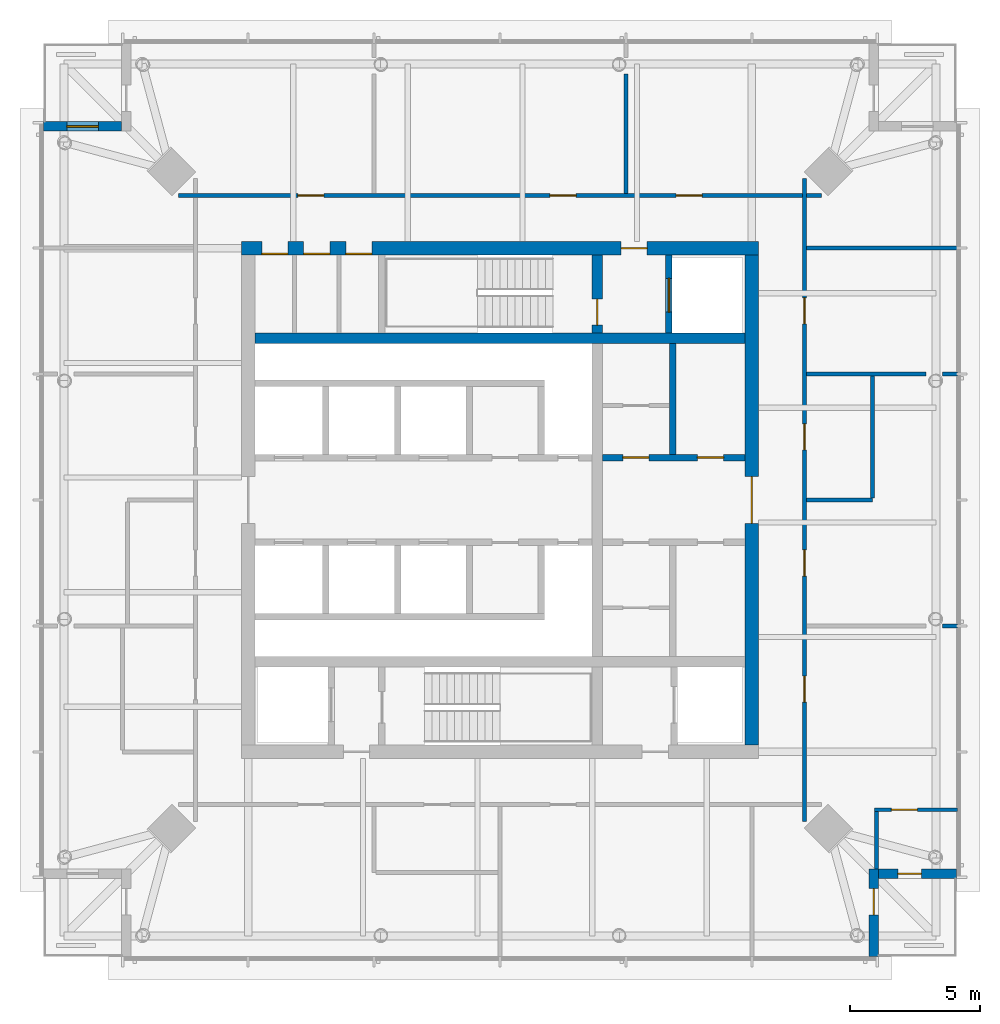
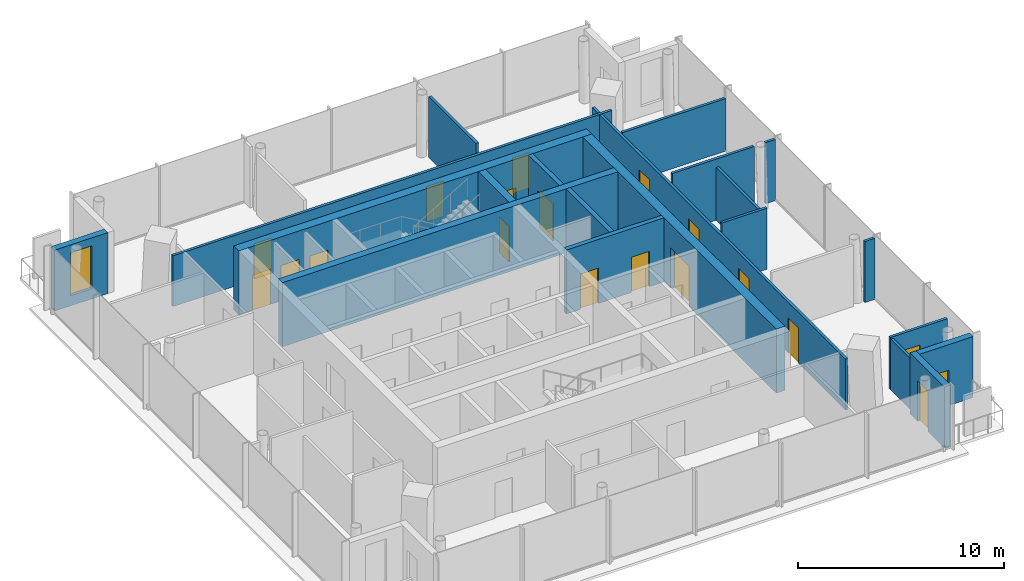
# One storey, part 5 of 11: 21 walls, 19 doors, 1 window, 20 openings.
"""IFC4 building model written with IfcOpenShell, lengths in metres."""

from ifc_helpers import new_model, si_unit, direction, frame, frame_2d, origin, place, context, subcontext, project, spatial, rectangle, extrude, material, layer, layer_set, type_object, element, fill, save


model = new_model("IFC4")

# Units and contexts
model_context = context("Model", 3, precision=1e-05, world=origin(), true_north=direction((0.0, 1.0)))
body_context = subcontext(model_context, "Body", "Model", "MODEL_VIEW")
ifc_project = project(units=[si_unit("LENGTHUNIT", "METRE"), si_unit("AREAUNIT", "SQUARE_METRE"), si_unit("VOLUMEUNIT", "CUBIC_METRE"), si_unit("PLANEANGLEUNIT", "RADIAN"), si_unit("MASSUNIT", "GRAM", prefix="KILO")], contexts=[model_context])

# Site, building, storey
site_placement = place(None, origin())
site = spatial("IfcSite", under=ifc_project, at=site_placement, CompositionType="ELEMENT")
building_placement = place(site_placement, origin())
building = spatial("IfcBuilding", under=site, at=building_placement, Name="Ostroluk Exchange", CompositionType="ELEMENT")
storey_placement = place(building_placement, frame((0.0, 0.0, 249.0)))
storey = spatial("IfcBuildingStorey", under=building, at=storey_placement, Name="L64", CompositionType="ELEMENT", Elevation=249.0)

# Wall
ifc_material_1 = material(Name="Concrete C50/60", Category="concrete")
ifc_layer_1 = layer(ifc_material_1, 0.39990234375)
ifc_layer_set_1 = layer_set([ifc_layer_1], Name="Core cross wall 400 C50/60")
wall_type_1 = type_object("IfcWallType", Name="Core cross wall 400 C50/60", PredefinedType="SHEAR", material=ifc_layer_set_1)
wall_1_placement = place(storey_placement, frame((35.60009765625, 52.199951171875, 0.0), z_axis=(0.0, 0.0, 1.0), x_axis=(1.0, 0.0, 0.0)))
element("IfcWall", 1, at=wall_1_placement, inside=storey, type_object=wall_type_1, Name="T1 core wall XN", PredefinedType="SHEAR", context=body_context, shape_type="SweptSolid", body=[
    extrude(rectangle(XDim=18.7998046875, YDim=0.39990234375, at=frame_2d((9.39990234375, 0.0))), origin(), (0.0, 0.0, 1.0), 3.800048828125),
])

# Wall, opening, door
wall_2_placement = place(storey_placement, frame((48.72998046875, 52.39990234375, 0.0), z_axis=(0.0, 0.0, 1.0), x_axis=(0.0, 1.0, 0.0)))
wall_2 = element("IfcWall", 2, at=wall_2_placement, inside=storey, type_object=wall_type_1, Name="T1 core wall YE3", PredefinedType="SHEAR", context=body_context, shape_type="SweptSolid", body=[
    extrude(rectangle(XDim=3.0, YDim=0.39990234375, at=frame_2d((1.5, 0.0))), origin(), (0.0, 0.0, 1.0), 3.800048828125),
])
opening_1_placement = place(wall_2_placement, frame((0.300048828125, 0.0, 0.0)))
opening_1 = element("IfcOpeningElement", 3, at=opening_1_placement, cuts=wall_2, Name="Opening FD60", PredefinedType="OPENING", context=body_context, shape_type="SweptSolid", body=[
    extrude(rectangle(XDim=1.0, YDim=2.10009765625, at=frame_2d((0.5, 1.050048828125))), frame((0.0, 0.2099609375, 0.0), z_axis=(0.0, -1.0, 0.0), x_axis=(1.0, 0.0, 0.0)), (0.0, 0.0, 1.0), 0.419921875),
])
ifc_material_2 = material(Name="Steel", Category="steel")
door_type_1 = type_object("IfcDoorType", Name="Fire door EI 60 1000 x 2100", OperationType="SINGLE_SWING_LEFT", PredefinedType="DOOR", material=ifc_material_2)
door_1_placement = place(opening_1_placement, origin())
door_1 = element("IfcDoor", 4, at=door_1_placement, inside=storey, type_object=door_type_1, Name="Stair T1-S2 door", OperationType="SINGLE_SWING_LEFT", OverallHeight=2.10009765625, OverallWidth=1.0, PredefinedType="DOOR", context=body_context, shape_type="SweptSolid", body=[
    extrude(rectangle(XDim=1.0, YDim=2.10009765625, at=frame_2d((0.5, 1.050048828125))), frame((0.0, 0.02490234375, 0.0), z_axis=(0.0, -1.0, 0.0), x_axis=(1.0, 0.0, 0.0)), (0.0, 0.0, 1.0), 0.050048828125),
])
fill(opening_1, door_1)

ifc_material_3 = material(Name="Concrete C40/50", Category="concrete")
ifc_layer_2 = layer(ifc_material_3, 0.25)
ifc_layer_set_2 = layer_set([ifc_layer_2], Name="Core shaft wall 250")
wall_type_2 = type_object("IfcWallType", Name="Core shaft wall 250", PredefinedType="SHEAR", material=ifc_layer_set_2)
wall_3_placement = place(storey_placement, frame((51.47509765625, 52.39990234375, 0.0), z_axis=(0.0, 0.0, 1.0), x_axis=(0.0, 1.0, 0.0)))
wall_3 = element("IfcWall", 5, at=wall_3_placement, inside=storey, type_object=wall_type_2, Name="Firefighting lift shaft wall", PredefinedType="SHEAR", context=body_context, shape_type="SweptSolid", body=[
    extrude(rectangle(XDim=3.0, YDim=0.25, at=frame_2d((1.5, 0.0))), origin(), (0.0, 0.0, 1.0), 3.800048828125),
])
opening_2_placement = place(wall_3_placement, frame((0.800048828125, 0.0, 0.0)))
opening_2 = element("IfcOpeningElement", 6, at=opening_2_placement, cuts=wall_3, Name="Opening LD2", PredefinedType="OPENING", context=body_context, shape_type="SweptSolid", body=[
    extrude(rectangle(XDim=1.300048828125, YDim=2.199951171875, at=frame_2d((0.64990234375, 1.10009765625))), frame((0.0, 0.135009765625, 0.0), z_axis=(0.0, -1.0, 0.0), x_axis=(1.0, 0.0, 0.0)), (0.0, 0.0, 1.0), 0.27001953125),
])
ifc_material_4 = material(Name="Stainless steel", Category="steel")
door_type_2 = type_object("IfcDoorType", Name="Lift landing door E 60 1300 x 2200", OperationType="DOUBLE_DOOR_SLIDING", PredefinedType="DOOR", material=ifc_material_4)
door_2_placement = place(opening_2_placement, origin())
door_2 = element("IfcDoor", 7, at=door_2_placement, inside=storey, type_object=door_type_2, Name="Lift FL2 landing door", OperationType="DOUBLE_DOOR_SLIDING", OverallHeight=2.199951171875, OverallWidth=1.300048828125, PredefinedType="DOOR", context=body_context, shape_type="SweptSolid", body=[
    extrude(rectangle(XDim=1.300048828125, YDim=2.199951171875, at=frame_2d((0.64990234375, 1.10009765625))), frame((0.0, 0.02490234375, 0.0), z_axis=(0.0, -1.0, 0.0), x_axis=(1.0, 0.0, 0.0)), (0.0, 0.0, 1.0), 0.050048828125),
])
fill(opening_2, door_2)

# Wall
wall_4_placement = place(storey_placement, frame((51.614990234375, 47.75, 0.0), z_axis=(0.0, 0.0, 1.0), x_axis=(0.0, 1.0, 0.0)))
element("IfcWall", 8, at=wall_4_placement, inside=storey, type_object=wall_type_2, Name="Lift shaft wall", PredefinedType="SHEAR", context=body_context, shape_type="SweptSolid", body=[
    extrude(rectangle(XDim=4.25, YDim=0.25, at=frame_2d((2.125, 0.0))), origin(), (0.0, 0.0, 1.0), 3.800048828125),
])

# Wall, openings, doors
wall_5_placement = place(storey_placement, frame((48.929931640625, 47.625, 0.0), z_axis=(0.0, 0.0, 1.0), x_axis=(1.0, 0.0, 0.0)))
wall_5 = element("IfcWall", 9, at=wall_5_placement, inside=storey, type_object=wall_type_2, Name="Lift shaft front wall", PredefinedType="SHEAR", context=body_context, shape_type="SweptSolid", body=[
    extrude(rectangle(XDim=5.469970703125, YDim=0.25, at=frame_2d((2.73486328125, 0.0))), origin(), (0.0, 0.0, 1.0), 3.800048828125),
])
opening_3_placement = place(wall_5_placement, frame((0.780029296875, 0.0, 0.0)))
opening_3 = element("IfcOpeningElement", 10, at=opening_3_placement, cuts=wall_5, Name="Opening FD60", PredefinedType="OPENING", context=body_context, shape_type="SweptSolid", body=[
    extrude(rectangle(XDim=1.0, YDim=2.10009765625, at=frame_2d((0.5, 1.050048828125))), frame((0.0, 0.135009765625, 0.0), z_axis=(0.0, -1.0, 0.0), x_axis=(1.0, 0.0, 0.0)), (0.0, 0.0, 1.0), 0.27001953125),
])
opening_4_placement = place(wall_5_placement, frame((3.639892578125, 0.0, 0.0)))
opening_4 = element("IfcOpeningElement", 11, at=opening_4_placement, cuts=wall_5, Name="Opening FD60", PredefinedType="OPENING", context=body_context, shape_type="SweptSolid", body=[
    extrude(rectangle(XDim=1.0, YDim=2.10009765625, at=frame_2d((0.5, 1.050048828125))), frame((0.0, 0.135009765625, 0.0), z_axis=(0.0, -1.0, 0.0), x_axis=(1.0, 0.0, 0.0)), (0.0, 0.0, 1.0), 0.27001953125),
])
door_3_placement = place(opening_3_placement, origin())
door_3 = element("IfcDoor", 12, at=door_3_placement, inside=storey, type_object=door_type_1, Name="Core room door", OperationType="SINGLE_SWING_LEFT", OverallHeight=2.10009765625, OverallWidth=1.0, PredefinedType="DOOR", context=body_context, shape_type="SweptSolid", body=[
    extrude(rectangle(XDim=1.0, YDim=2.10009765625, at=frame_2d((0.5, 1.050048828125))), frame((0.0, 0.02490234375, 0.0), z_axis=(0.0, -1.0, 0.0), x_axis=(1.0, 0.0, 0.0)), (0.0, 0.0, 1.0), 0.050048828125),
])
fill(opening_3, door_3)
door_4_placement = place(opening_4_placement, origin())
door_4 = element("IfcDoor", 13, at=door_4_placement, inside=storey, type_object=door_type_1, Name="Core room door", OperationType="SINGLE_SWING_RIGHT", OverallHeight=2.10009765625, OverallWidth=1.0, PredefinedType="DOOR", context=body_context, shape_type="SweptSolid", body=[
    extrude(rectangle(XDim=1.0, YDim=2.10009765625, at=frame_2d((0.5, 1.050048828125))), frame((0.0, 0.02490234375, 0.0), z_axis=(0.0, -1.0, 0.0), x_axis=(1.0, 0.0, 0.0)), (0.0, 0.0, 1.0), 0.050048828125),
])
fill(opening_4, door_4)

ifc_material_5 = material(Name="Concrete C50/60", Category="concrete")
ifc_layer_3 = layer(ifc_material_5, 0.5)
ifc_layer_set_3 = layer_set([ifc_layer_3], Name="Core wall 500 C50/60")
wall_type_3 = type_object("IfcWallType", Name="Core wall 500 C50/60", PredefinedType="SHEAR", material=ifc_layer_set_3)
wall_6_placement = place(storey_placement, frame((35.10009765625, 55.64990234375, 0.0), z_axis=(0.0, 0.0, 1.0), x_axis=(1.0, 0.0, 0.0)))
wall_6 = element("IfcWall", 14, at=wall_6_placement, inside=storey, type_object=wall_type_3, Name="T1 core wall N", PredefinedType="SHEAR", context=body_context, shape_type="SweptSolid", body=[
    extrude(rectangle(XDim=19.7998046875, YDim=0.5, at=frame_2d((9.89990234375, 0.0))), origin(), (0.0, 0.0, 1.0), 3.800048828125),
])
opening_5_placement = place(wall_6_placement, frame((14.5400390625, 0.0, 0.0)))
opening_5 = element("IfcOpeningElement", 15, at=opening_5_placement, cuts=wall_6, Name="Opening FD60", PredefinedType="OPENING", context=body_context, shape_type="SweptSolid", body=[
    extrude(rectangle(XDim=1.0, YDim=2.10009765625, at=frame_2d((0.5, 1.050048828125))), frame((0.0, 0.260009765625, 0.0), z_axis=(0.0, -1.0, 0.0), x_axis=(1.0, 0.0, 0.0)), (0.0, 0.0, 1.0), 0.52001953125),
])
opening_6_placement = place(wall_6_placement, frame((0.77001953125, 0.0, 0.0)))
opening_6 = element("IfcOpeningElement", 16, at=opening_6_placement, cuts=wall_6, Name="Opening FD60", PredefinedType="OPENING", context=body_context, shape_type="SweptSolid", body=[
    extrude(rectangle(XDim=1.0, YDim=2.10009765625, at=frame_2d((0.5, 1.050048828125))), frame((0.0, 0.260009765625, 0.0), z_axis=(0.0, -1.0, 0.0), x_axis=(1.0, 0.0, 0.0)), (0.0, 0.0, 1.0), 0.52001953125),
])
opening_7_placement = place(wall_6_placement, frame((2.375, 0.0, 0.0)))
opening_7 = element("IfcOpeningElement", 17, at=opening_7_placement, cuts=wall_6, Name="Opening FD60", PredefinedType="OPENING", context=body_context, shape_type="SweptSolid", body=[
    extrude(rectangle(XDim=1.0, YDim=2.10009765625, at=frame_2d((0.5, 1.050048828125))), frame((0.0, 0.260009765625, 0.0), z_axis=(0.0, -1.0, 0.0), x_axis=(1.0, 0.0, 0.0)), (0.0, 0.0, 1.0), 0.52001953125),
])
opening_8_placement = place(wall_6_placement, frame((3.989990234375, 0.0, 0.0)))
opening_8 = element("IfcOpeningElement", 18, at=opening_8_placement, cuts=wall_6, Name="Opening FD60", PredefinedType="OPENING", context=body_context, shape_type="SweptSolid", body=[
    extrude(rectangle(XDim=1.0, YDim=2.10009765625, at=frame_2d((0.5, 1.050048828125))), frame((0.0, 0.260009765625, 0.0), z_axis=(0.0, -1.0, 0.0), x_axis=(1.0, 0.0, 0.0)), (0.0, 0.0, 1.0), 0.52001953125),
])
door_5_placement = place(opening_5_placement, origin())
door_5 = element("IfcDoor", 19, at=door_5_placement, inside=storey, type_object=door_type_1, Name="Firefighting lobby door", OperationType="SINGLE_SWING_RIGHT", OverallHeight=2.10009765625, OverallWidth=1.0, PredefinedType="DOOR", context=body_context, shape_type="SweptSolid", body=[
    extrude(rectangle(XDim=1.0, YDim=2.10009765625, at=frame_2d((0.5, 1.050048828125))), frame((0.0, 0.02490234375, 0.0), z_axis=(0.0, -1.0, 0.0), x_axis=(1.0, 0.0, 0.0)), (0.0, 0.0, 1.0), 0.050048828125),
])
fill(opening_5, door_5)
door_6_placement = place(opening_6_placement, origin())
door_6 = element("IfcDoor", 20, at=door_6_placement, inside=storey, type_object=door_type_1, Name="Store door", OperationType="SINGLE_SWING_LEFT", OverallHeight=2.10009765625, OverallWidth=1.0, PredefinedType="DOOR", context=body_context, shape_type="SweptSolid", body=[
    extrude(rectangle(XDim=1.0, YDim=2.10009765625, at=frame_2d((0.5, 1.050048828125))), frame((0.0, -0.18994140625, 0.0), z_axis=(0.0, -1.0, 0.0), x_axis=(1.0, 0.0, 0.0)), (0.0, 0.0, 1.0), 0.050048828125),
])
fill(opening_6, door_6)
door_7_placement = place(opening_7_placement, origin())
door_7 = element("IfcDoor", 21, at=door_7_placement, inside=storey, type_object=door_type_1, Name="Comms room door", OperationType="SINGLE_SWING_LEFT", OverallHeight=2.10009765625, OverallWidth=1.0, PredefinedType="DOOR", context=body_context, shape_type="SweptSolid", body=[
    extrude(rectangle(XDim=1.0, YDim=2.10009765625, at=frame_2d((0.5, 1.050048828125))), frame((0.0, -0.18994140625, 0.0), z_axis=(0.0, -1.0, 0.0), x_axis=(1.0, 0.0, 0.0)), (0.0, 0.0, 1.0), 0.050048828125),
])
fill(opening_7, door_7)
door_8_placement = place(opening_8_placement, origin())
door_8 = element("IfcDoor", 22, at=door_8_placement, inside=storey, type_object=door_type_1, Name="Cleaner's store door", OperationType="SINGLE_SWING_LEFT", OverallHeight=2.10009765625, OverallWidth=1.0, PredefinedType="DOOR", context=body_context, shape_type="SweptSolid", body=[
    extrude(rectangle(XDim=1.0, YDim=2.10009765625, at=frame_2d((0.5, 1.050048828125))), frame((0.0, -0.18994140625, 0.0), z_axis=(0.0, -1.0, 0.0), x_axis=(1.0, 0.0, 0.0)), (0.0, 0.0, 1.0), 0.050048828125),
])
fill(opening_8, door_8)

# Wall, opening, door
wall_7_placement = place(storey_placement, frame((54.64990234375, 36.60009765625, 0.0), z_axis=(0.0, 0.0, 1.0), x_axis=(0.0, 1.0, 0.0)))
wall_7 = element("IfcWall", 23, at=wall_7_placement, inside=storey, type_object=wall_type_3, Name="T1 core wall E", PredefinedType="SHEAR", context=body_context, shape_type="SweptSolid", body=[
    extrude(rectangle(XDim=18.7998046875, YDim=0.5, at=frame_2d((9.39990234375, 0.0))), origin(), (0.0, 0.0, 1.0), 3.800048828125),
])
opening_9_placement = place(wall_7_placement, frame((8.5, 0.0, 0.0)))
opening_9 = element("IfcOpeningElement", 24, at=opening_9_placement, cuts=wall_7, Name="Opening FD30D", PredefinedType="OPENING", context=body_context, shape_type="SweptSolid", body=[
    extrude(rectangle(XDim=1.800048828125, YDim=2.39990234375, at=frame_2d((0.89990234375, 1.199951171875))), frame((0.0, 0.260009765625, 0.0), z_axis=(0.0, -1.0, 0.0), x_axis=(1.0, 0.0, 0.0)), (0.0, 0.0, 1.0), 0.52001953125),
])
ifc_material_6 = material(Name="Timber", Category="wood")
door_type_3 = type_object("IfcDoorType", Name="Lobby double door EI 30 1800 x 2400", OperationType="DOUBLE_DOOR_SINGLE_SWING", PredefinedType="DOOR", material=ifc_material_6)
door_9_placement = place(opening_9_placement, origin())
door_9 = element("IfcDoor", 25, at=door_9_placement, inside=storey, type_object=door_type_3, Name="Lift lobby doors", OperationType="DOUBLE_DOOR_SINGLE_SWING", OverallHeight=2.39990234375, OverallWidth=1.800048828125, PredefinedType="DOOR", context=body_context, shape_type="SweptSolid", body=[
    extrude(rectangle(XDim=1.800048828125, YDim=2.39990234375, at=frame_2d((0.89990234375, 1.199951171875))), frame((0.0, 0.02490234375, 0.0), z_axis=(0.0, -1.0, 0.0), x_axis=(1.0, 0.0, 0.0)), (0.0, 0.0, 1.0), 0.050048828125),
])
fill(opening_9, door_9)

ifc_material_7 = material(Name="Limestone", Category="masonry")
ifc_layer_4 = layer(ifc_material_7, 0.35009765625)
ifc_layer_set_4 = layer_set([ifc_layer_4], Name="Limestone facade wall 350")
wall_type_4 = type_object("IfcWallType", Name="Limestone facade wall 350", PredefinedType="SOLIDWALL", material=ifc_layer_set_4)
wall_8_placement = place(storey_placement, frame((59.324951171875, 28.5, 0.0), z_axis=(0.0, 0.0, 1.0), x_axis=(0.0, 1.0, 0.0)))
wall_8 = element("IfcWall", 26, at=wall_8_placement, inside=storey, type_object=wall_type_4, Name="Office tower SE corner wall L64 a", PredefinedType="SOLIDWALL", context=body_context, shape_type="SweptSolid", body=[
    extrude(rectangle(XDim=3.35009765625, YDim=0.35009765625, at=frame_2d((1.675048828125, 0.0))), origin(), (0.0, 0.0, 1.0), 3.6201171875),
])
opening_10_placement = place(wall_8_placement, frame((1.60009765625, 0.0, 0.0)))
opening_10 = element("IfcOpeningElement", 27, at=opening_10_placement, cuts=wall_8, Name="Opening D-B1", PredefinedType="OPENING", context=body_context, shape_type="SweptSolid", body=[
    extrude(rectangle(XDim=1.0, YDim=2.39990234375, at=frame_2d((0.5, 1.199951171875))), frame((0.0, 0.18505859375, 0.0), z_axis=(0.0, -1.0, 0.0), x_axis=(1.0, 0.0, 0.0)), (0.0, 0.0, 1.0), 0.3701171875),
])
ifc_material_8 = material(Name="Bronze framed glazed door", Category="aluminium")
door_type_4 = type_object("IfcDoorType", Name="Balcony door 1000 x 2400", OperationType="SINGLE_SWING_LEFT", PredefinedType="DOOR", material=ifc_material_8)
door_10_placement = place(opening_10_placement, origin())
door_10 = element("IfcDoor", 28, at=door_10_placement, inside=storey, type_object=door_type_4, Name="Office tower SE balcony door L64", OperationType="SINGLE_SWING_RIGHT", OverallHeight=2.39990234375, OverallWidth=1.0, PredefinedType="DOOR", context=body_context, shape_type="SweptSolid", body=[
    extrude(rectangle(XDim=1.0, YDim=2.39990234375, at=frame_2d((0.5, 1.199951171875))), frame((0.0, 0.02490234375, 0.0), z_axis=(0.0, -1.0, 0.0), x_axis=(1.0, 0.0, 0.0)), (0.0, 0.0, 1.0), 0.050048828125),
])
fill(opening_10, door_10)

wall_9_placement = place(storey_placement, frame((59.5, 31.675048828125, 0.0), z_axis=(0.0, 0.0, 1.0), x_axis=(1.0, 0.0, 0.0)))
wall_9 = element("IfcWall", 29, at=wall_9_placement, inside=storey, type_object=wall_type_4, Name="Office tower SE corner wall L64 b", PredefinedType="SOLIDWALL", context=body_context, shape_type="SweptSolid", body=[
    extrude(rectangle(XDim=3.0, YDim=0.35009765625, at=frame_2d((1.5, 0.0))), origin(), (0.0, 0.0, 1.0), 3.6201171875),
])
opening_11_placement = place(wall_9_placement, frame((0.75, 0.0, 0.0)))
opening_11 = element("IfcOpeningElement", 30, at=opening_11_placement, cuts=wall_9, Name="Opening D-M1", PredefinedType="OPENING", context=body_context, shape_type="SweptSolid", body=[
    extrude(rectangle(XDim=0.89990234375, YDim=2.10009765625, at=frame_2d((0.449951171875, 1.050048828125))), frame((0.0, 0.18505859375, 0.0), z_axis=(0.0, -1.0, 0.0), x_axis=(1.0, 0.0, 0.0)), (0.0, 0.0, 1.0), 0.3701171875),
])
ifc_material_9 = material(Name="Steel door", Category="steel")
door_type_5 = type_object("IfcDoorType", Name="Maintenance access door 900 x 2100", OperationType="SINGLE_SWING_LEFT", PredefinedType="DOOR", material=ifc_material_9)
door_11_placement = place(opening_11_placement, origin())
door_11 = element("IfcDoor", 31, at=door_11_placement, inside=storey, type_object=door_type_5, Name="Maintenance access door T1 L64 SE", OperationType="SINGLE_SWING_LEFT", OverallHeight=2.10009765625, OverallWidth=0.89990234375, PredefinedType="DOOR", context=body_context, shape_type="SweptSolid", body=[
    extrude(rectangle(XDim=0.89990234375, YDim=2.10009765625, at=frame_2d((0.449951171875, 1.050048828125))), frame((0.0, 0.02490234375, 0.0), z_axis=(0.0, -1.0, 0.0), x_axis=(1.0, 0.0, 0.0)), (0.0, 0.0, 1.0), 0.050048828125),
])
fill(opening_11, door_11)

# Wall, opening, window
wall_10_placement = place(storey_placement, frame((30.5, 60.324951171875, 0.0), z_axis=(0.0, 0.0, 1.0), x_axis=(-1.0, 0.0, 0.0)))
wall_10 = element("IfcWall", 32, at=wall_10_placement, inside=storey, type_object=wall_type_4, Name="Office tower NW corner wall L64 b", PredefinedType="SOLIDWALL", context=body_context, shape_type="SweptSolid", body=[
    extrude(rectangle(XDim=3.0, YDim=0.35009765625, at=frame_2d((1.5, 0.0))), origin(), (0.0, 0.0, 1.0), 3.6201171875),
])
opening_12_placement = place(wall_10_placement, frame((0.89990234375, 0.0, 0.60009765625)))
opening_12 = element("IfcOpeningElement", 33, at=opening_12_placement, cuts=wall_10, Name="Opening WN-L1", PredefinedType="OPENING", context=body_context, shape_type="SweptSolid", body=[
    extrude(rectangle(XDim=1.199951171875, YDim=2.550048828125, at=frame_2d((0.60009765625, 1.27490234375))), frame((0.0, 0.18505859375, 0.0), z_axis=(0.0, -1.0, 0.0), x_axis=(1.0, 0.0, 0.0)), (0.0, 0.0, 1.0), 0.3701171875),
])
ifc_material_10 = material(Name="Laminated clear glass", Category="glass")
window_type = type_object("IfcWindowType", Name="Lancet window 1200 x 2550", PartitioningType="SINGLE_PANEL", PredefinedType="WINDOW", material=ifc_material_10)
window_placement = place(opening_12_placement, origin())
window = element("IfcWindow", 34, at=window_placement, inside=storey, type_object=window_type, Name="Office tower NW lancet window L64", OverallHeight=2.550048828125, OverallWidth=1.199951171875, PartitioningType="SINGLE_PANEL", PredefinedType="WINDOW", context=body_context, shape_type="SweptSolid", body=[
    extrude(rectangle(XDim=1.199951171875, YDim=2.550048828125, at=frame_2d((0.60009765625, 1.27490234375))), frame((0.0, 0.030029296875, 0.0), z_axis=(0.0, -1.0, 0.0), x_axis=(1.0, 0.0, 0.0)), (0.0, 0.0, 1.0), 0.06005859375),
])
fill(opening_12, window)

# Wall
ifc_material_11 = material(Name="Gypsum plasterboard partition", Category="gypsum")
ifc_layer_5 = layer(ifc_material_11, 0.14990234375)
ifc_layer_set_5 = layer_set([ifc_layer_5], Name="Plasterboard partition 150")
wall_type_5 = type_object("IfcWallType", Name="Plasterboard partition 150", PredefinedType="PARTITIONING", material=ifc_layer_set_5)
wall_11_placement = place(storey_placement, frame((59.27490234375, 46.074951171875, 0.0), z_axis=(0.0, 0.0, 1.0), x_axis=(0.0, 1.0, 0.0)))
element("IfcWall", 35, at=wall_11_placement, inside=storey, type_object=wall_type_5, Name="Partition", PredefinedType="PARTITIONING", context=body_context, shape_type="SweptSolid", body=[
    extrude(rectangle(XDim=4.683349609375, YDim=0.14990234375, at=frame_2d((2.341796875, 0.0))), origin(), (0.0, 0.0, 1.0), 3.1201171875),
])

# Wall, openings, doors
wall_12_placement = place(storey_placement, frame((56.675048828125, 33.68359375, 0.0), z_axis=(0.0, 0.0, 1.0), x_axis=(0.0, 1.0, 0.0)))
wall_12 = element("IfcWall", 36, at=wall_12_placement, inside=storey, type_object=wall_type_5, Name="Partition", PredefinedType="PARTITIONING", context=body_context, shape_type="SweptSolid", body=[
    extrude(rectangle(XDim=24.6328125, YDim=0.14990234375, at=frame_2d((12.31640625, 0.0))), origin(), (0.0, 0.0, 1.0), 3.02001953125),
])
opening_13_placement = place(wall_12_placement, frame((4.56640625, 0.0, 0.0)))
opening_13 = element("IfcOpeningElement", 37, at=opening_13_placement, cuts=wall_12, Name="Opening D-03", PredefinedType="OPENING", context=body_context, shape_type="SweptSolid", body=[
    extrude(rectangle(XDim=1.0, YDim=2.10009765625, at=frame_2d((0.5, 1.050048828125))), frame((0.0, 0.0849609375, 0.0), z_axis=(0.0, -1.0, 0.0), x_axis=(1.0, 0.0, 0.0)), (0.0, 0.0, 1.0), 0.169921875),
])
opening_14_placement = place(wall_12_placement, frame((9.39990234375, 0.0, 0.0)))
opening_14 = element("IfcOpeningElement", 38, at=opening_14_placement, cuts=wall_12, Name="Opening D-03", PredefinedType="OPENING", context=body_context, shape_type="SweptSolid", body=[
    extrude(rectangle(XDim=1.0, YDim=2.10009765625, at=frame_2d((0.5, 1.050048828125))), frame((0.0, 0.0849609375, 0.0), z_axis=(0.0, -1.0, 0.0), x_axis=(1.0, 0.0, 0.0)), (0.0, 0.0, 1.0), 0.169921875),
])
opening_15_placement = place(wall_12_placement, frame((14.233154296875, 0.0, 0.0)))
opening_15 = element("IfcOpeningElement", 39, at=opening_15_placement, cuts=wall_12, Name="Opening D-03", PredefinedType="OPENING", context=body_context, shape_type="SweptSolid", body=[
    extrude(rectangle(XDim=1.0, YDim=2.10009765625, at=frame_2d((0.5, 1.050048828125))), frame((0.0, 0.0849609375, 0.0), z_axis=(0.0, -1.0, 0.0), x_axis=(1.0, 0.0, 0.0)), (0.0, 0.0, 1.0), 0.169921875),
])
opening_16_placement = place(wall_12_placement, frame((19.06640625, 0.0, 0.0)))
opening_16 = element("IfcOpeningElement", 40, at=opening_16_placement, cuts=wall_12, Name="Opening D-03", PredefinedType="OPENING", context=body_context, shape_type="SweptSolid", body=[
    extrude(rectangle(XDim=1.0, YDim=2.10009765625, at=frame_2d((0.5, 1.050048828125))), frame((0.0, 0.0849609375, 0.0), z_axis=(0.0, -1.0, 0.0), x_axis=(1.0, 0.0, 0.0)), (0.0, 0.0, 1.0), 0.169921875),
])
ifc_material_12 = material(Name="Timber", Category="wood")
door_type_6 = type_object("IfcDoorType", Name="Internal door 1000 x 2100", OperationType="SINGLE_SWING_LEFT", PredefinedType="DOOR", material=ifc_material_12)
door_12_placement = place(opening_13_placement, origin())
door_12 = element("IfcDoor", 41, at=door_12_placement, inside=storey, type_object=door_type_6, Name="Corner office door", OperationType="SINGLE_SWING_LEFT", OverallHeight=2.10009765625, OverallWidth=1.0, PredefinedType="DOOR", context=body_context, shape_type="SweptSolid", body=[
    extrude(rectangle(XDim=1.0, YDim=2.10009765625, at=frame_2d((0.5, 1.050048828125))), frame((0.0, 0.02490234375, 0.0), z_axis=(0.0, -1.0, 0.0), x_axis=(1.0, 0.0, 0.0)), (0.0, 0.0, 1.0), 0.050048828125),
])
fill(opening_13, door_12)
door_13_placement = place(opening_14_placement, origin())
door_13 = element("IfcDoor", 42, at=door_13_placement, inside=storey, type_object=door_type_6, Name="Office door", OperationType="SINGLE_SWING_LEFT", OverallHeight=2.10009765625, OverallWidth=1.0, PredefinedType="DOOR", context=body_context, shape_type="SweptSolid", body=[
    extrude(rectangle(XDim=1.0, YDim=2.10009765625, at=frame_2d((0.5, 1.050048828125))), frame((0.0, 0.02490234375, 0.0), z_axis=(0.0, -1.0, 0.0), x_axis=(1.0, 0.0, 0.0)), (0.0, 0.0, 1.0), 0.050048828125),
])
fill(opening_14, door_13)
door_14_placement = place(opening_15_placement, origin())
door_14 = element("IfcDoor", 43, at=door_14_placement, inside=storey, type_object=door_type_6, Name="Pantry door", OperationType="SINGLE_SWING_RIGHT", OverallHeight=2.10009765625, OverallWidth=1.0, PredefinedType="DOOR", context=body_context, shape_type="SweptSolid", body=[
    extrude(rectangle(XDim=1.0, YDim=2.10009765625, at=frame_2d((0.5, 1.050048828125))), frame((0.0, 0.02490234375, 0.0), z_axis=(0.0, -1.0, 0.0), x_axis=(1.0, 0.0, 0.0)), (0.0, 0.0, 1.0), 0.050048828125),
])
fill(opening_15, door_14)
door_15_placement = place(opening_16_placement, origin())
door_15 = element("IfcDoor", 44, at=door_15_placement, inside=storey, type_object=door_type_6, Name="Office door", OperationType="SINGLE_SWING_RIGHT", OverallHeight=2.10009765625, OverallWidth=1.0, PredefinedType="DOOR", context=body_context, shape_type="SweptSolid", body=[
    extrude(rectangle(XDim=1.0, YDim=2.10009765625, at=frame_2d((0.5, 1.050048828125))), frame((0.0, 0.02490234375, 0.0), z_axis=(0.0, -1.0, 0.0), x_axis=(1.0, 0.0, 0.0)), (0.0, 0.0, 1.0), 0.050048828125),
])
fill(opening_16, door_15)

# Walls
wall_13_placement = place(storey_placement, frame((61.96826171875, 41.166748046875, 0.0), z_axis=(0.0, 0.0, 1.0), x_axis=(1.0, 0.0, 0.0)))
element("IfcWall", 45, at=wall_13_placement, inside=storey, type_object=wall_type_5, Name="Partition", PredefinedType="PARTITIONING", context=body_context, shape_type="SweptSolid", body=[
    extrude(rectangle(XDim=0.57177734375, YDim=0.14990234375, at=frame_2d((0.285888671875, 0.0))), origin(), (0.0, 0.0, 1.0), 3.6201171875),
])
wall_14_placement = place(storey_placement, frame((56.75, 46.0, 0.0), z_axis=(0.0, 0.0, 1.0), x_axis=(1.0, 0.0, 0.0)))
element("IfcWall", 46, at=wall_14_placement, inside=storey, type_object=wall_type_5, Name="Partition", PredefinedType="PARTITIONING", context=body_context, shape_type="SweptSolid", body=[
    extrude(rectangle(XDim=2.52490234375, YDim=0.14990234375, at=frame_2d((1.262451171875, 0.0))), origin(), (0.0, 0.0, 1.0), 3.6201171875),
])
wall_15_placement = place(storey_placement, frame((56.75, 50.833251953125, 0.0), z_axis=(0.0, 0.0, 1.0), x_axis=(1.0, 0.0, 0.0)))
element("IfcWall", 47, at=wall_15_placement, inside=storey, type_object=wall_type_5, Name="Partition", PredefinedType="PARTITIONING", context=body_context, shape_type="SweptSolid", body=[
    extrude(rectangle(XDim=4.5888671875, YDim=0.14990234375, at=frame_2d((2.29443359375, 0.0))), origin(), (0.0, 0.0, 1.0), 3.6201171875),
])
wall_16_placement = place(storey_placement, frame((61.96826171875, 50.833251953125, 0.0), z_axis=(0.0, 0.0, 1.0), x_axis=(1.0, 0.0, 0.0)))
element("IfcWall", 48, at=wall_16_placement, inside=storey, type_object=wall_type_5, Name="Partition", PredefinedType="PARTITIONING", context=body_context, shape_type="SweptSolid", body=[
    extrude(rectangle(XDim=0.57177734375, YDim=0.14990234375, at=frame_2d((0.285888671875, 0.0))), origin(), (0.0, 0.0, 1.0), 3.6201171875),
])
wall_17_placement = place(storey_placement, frame((56.75, 55.666748046875, 0.0), z_axis=(0.0, 0.0, 1.0), x_axis=(1.0, 0.0, 0.0)))
element("IfcWall", 49, at=wall_17_placement, inside=storey, type_object=wall_type_5, Name="Partition", PredefinedType="PARTITIONING", context=body_context, shape_type="SweptSolid", body=[
    extrude(rectangle(XDim=5.7900390625, YDim=0.14990234375, at=frame_2d((2.89501953125, 0.0))), origin(), (0.0, 0.0, 1.0), 3.1201171875),
])

# Wall, openings, doors
wall_18_placement = place(storey_placement, frame((57.31640625, 57.675048828125, 0.0), z_axis=(0.0, 0.0, 1.0), x_axis=(-1.0, 0.0, 0.0)))
wall_18 = element("IfcWall", 50, at=wall_18_placement, inside=storey, type_object=wall_type_5, Name="Partition", PredefinedType="PARTITIONING", context=body_context, shape_type="SweptSolid", body=[
    extrude(rectangle(XDim=24.6328125, YDim=0.14990234375, at=frame_2d((12.31640625, 0.0))), origin(), (0.0, 0.0, 1.0), 3.02001953125),
])
opening_17_placement = place(wall_18_placement, frame((4.56640625, 0.0, 0.0)))
opening_17 = element("IfcOpeningElement", 51, at=opening_17_placement, cuts=wall_18, Name="Opening D-03", PredefinedType="OPENING", context=body_context, shape_type="SweptSolid", body=[
    extrude(rectangle(XDim=1.0, YDim=2.10009765625, at=frame_2d((0.5, 1.050048828125))), frame((0.0, 0.0849609375, 0.0), z_axis=(0.0, -1.0, 0.0), x_axis=(1.0, 0.0, 0.0)), (0.0, 0.0, 1.0), 0.169921875),
])
opening_18_placement = place(wall_18_placement, frame((9.39990234375, 0.0, 0.0)))
opening_18 = element("IfcOpeningElement", 52, at=opening_18_placement, cuts=wall_18, Name="Opening D-03", PredefinedType="OPENING", context=body_context, shape_type="SweptSolid", body=[
    extrude(rectangle(XDim=1.0, YDim=2.10009765625, at=frame_2d((0.5, 1.050048828125))), frame((0.0, 0.0849609375, 0.0), z_axis=(0.0, -1.0, 0.0), x_axis=(1.0, 0.0, 0.0)), (0.0, 0.0, 1.0), 0.169921875),
])
opening_19_placement = place(wall_18_placement, frame((19.06640625, 0.0, 0.0)))
opening_19 = element("IfcOpeningElement", 53, at=opening_19_placement, cuts=wall_18, Name="Opening D-03", PredefinedType="OPENING", context=body_context, shape_type="SweptSolid", body=[
    extrude(rectangle(XDim=1.0, YDim=2.10009765625, at=frame_2d((0.5, 1.050048828125))), frame((0.0, 0.0849609375, 0.0), z_axis=(0.0, -1.0, 0.0), x_axis=(1.0, 0.0, 0.0)), (0.0, 0.0, 1.0), 0.169921875),
])
door_16_placement = place(opening_17_placement, origin())
door_16 = element("IfcDoor", 54, at=door_16_placement, inside=storey, type_object=door_type_6, Name="Corner office door", OperationType="SINGLE_SWING_LEFT", OverallHeight=2.10009765625, OverallWidth=1.0, PredefinedType="DOOR", context=body_context, shape_type="SweptSolid", body=[
    extrude(rectangle(XDim=1.0, YDim=2.10009765625, at=frame_2d((0.5, 1.050048828125))), frame((0.0, 0.02490234375, 0.0), z_axis=(0.0, -1.0, 0.0), x_axis=(1.0, 0.0, 0.0)), (0.0, 0.0, 1.0), 0.050048828125),
])
fill(opening_17, door_16)
door_17_placement = place(opening_18_placement, origin())
door_17 = element("IfcDoor", 55, at=door_17_placement, inside=storey, type_object=door_type_6, Name="Executive office door", OperationType="SINGLE_SWING_LEFT", OverallHeight=2.10009765625, OverallWidth=1.0, PredefinedType="DOOR", context=body_context, shape_type="SweptSolid", body=[
    extrude(rectangle(XDim=1.0, YDim=2.10009765625, at=frame_2d((0.5, 1.050048828125))), frame((0.0, 0.02490234375, 0.0), z_axis=(0.0, -1.0, 0.0), x_axis=(1.0, 0.0, 0.0)), (0.0, 0.0, 1.0), 0.050048828125),
])
fill(opening_18, door_17)
door_18_placement = place(opening_19_placement, origin())
door_18 = element("IfcDoor", 56, at=door_18_placement, inside=storey, type_object=door_type_6, Name="Office door", OperationType="SINGLE_SWING_RIGHT", OverallHeight=2.10009765625, OverallWidth=1.0, PredefinedType="DOOR", context=body_context, shape_type="SweptSolid", body=[
    extrude(rectangle(XDim=1.0, YDim=2.10009765625, at=frame_2d((0.5, 1.050048828125))), frame((0.0, 0.02490234375, 0.0), z_axis=(0.0, -1.0, 0.0), x_axis=(1.0, 0.0, 0.0)), (0.0, 0.0, 1.0), 0.050048828125),
])
fill(opening_19, door_18)

# Wall
wall_19_placement = place(storey_placement, frame((49.833251953125, 57.75, 0.0), z_axis=(0.0, 0.0, 1.0), x_axis=(0.0, 1.0, 0.0)))
element("IfcWall", 57, at=wall_19_placement, inside=storey, type_object=wall_type_5, Name="Partition", PredefinedType="PARTITIONING", context=body_context, shape_type="SweptSolid", body=[
    extrude(rectangle(XDim=4.5888671875, YDim=0.14990234375, at=frame_2d((2.29443359375, 0.0))), origin(), (0.0, 0.0, 1.0), 3.6201171875),
])

# Wall, opening, door
wall_20_placement = place(storey_placement, frame((59.35009765625, 34.125, 0.0), z_axis=(0.0, 0.0, 1.0), x_axis=(1.0, 0.0, 0.0)))
wall_20 = element("IfcWall", 58, at=wall_20_placement, inside=storey, type_object=wall_type_5, Name="Partition", PredefinedType="PARTITIONING", context=body_context, shape_type="SweptSolid", body=[
    extrude(rectangle(XDim=3.18994140625, YDim=0.14990234375, at=frame_2d((1.594970703125, 0.0))), origin(), (0.0, 0.0, 1.0), 3.1201171875),
])
opening_20_placement = place(wall_20_placement, frame((0.64990234375, 0.0, 0.0)))
opening_20 = element("IfcOpeningElement", 59, at=opening_20_placement, cuts=wall_20, Name="Opening D-03", PredefinedType="OPENING", context=body_context, shape_type="SweptSolid", body=[
    extrude(rectangle(XDim=1.0, YDim=2.10009765625, at=frame_2d((0.5, 1.050048828125))), frame((0.0, 0.0849609375, 0.0), z_axis=(0.0, -1.0, 0.0), x_axis=(1.0, 0.0, 0.0)), (0.0, 0.0, 1.0), 0.169921875),
])
door_19_placement = place(opening_20_placement, origin())
door_19 = element("IfcDoor", 60, at=door_19_placement, inside=storey, type_object=door_type_6, Name="Facade maintenance store door", OperationType="SINGLE_SWING_LEFT", OverallHeight=2.10009765625, OverallWidth=1.0, PredefinedType="DOOR", context=body_context, shape_type="SweptSolid", body=[
    extrude(rectangle(XDim=1.0, YDim=2.10009765625, at=frame_2d((0.5, 1.050048828125))), frame((0.0, 0.02490234375, 0.0), z_axis=(0.0, -1.0, 0.0), x_axis=(1.0, 0.0, 0.0)), (0.0, 0.0, 1.0), 0.050048828125),
])
fill(opening_20, door_19)

# Wall
wall_21_placement = place(storey_placement, frame((59.425048828125, 34.050048828125, 0.0), z_axis=(0.0, 0.0, 1.0), x_axis=(0.0, -1.0, 0.0)))
element("IfcWall", 61, at=wall_21_placement, inside=storey, type_object=wall_type_5, Name="Partition", PredefinedType="PARTITIONING", context=body_context, shape_type="SweptSolid", body=[
    extrude(rectangle(XDim=2.199951171875, YDim=0.14990234375, at=frame_2d((1.10009765625, 0.0))), origin(), (0.0, 0.0, 1.0), 3.02001953125),
])

save(model, "model.ifc")
